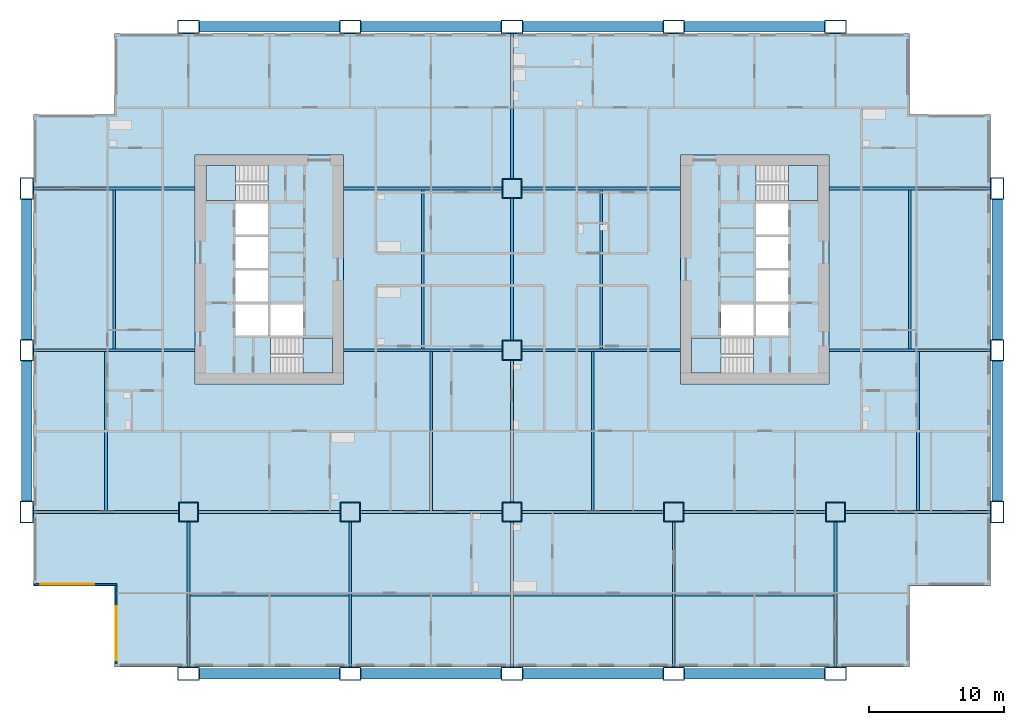
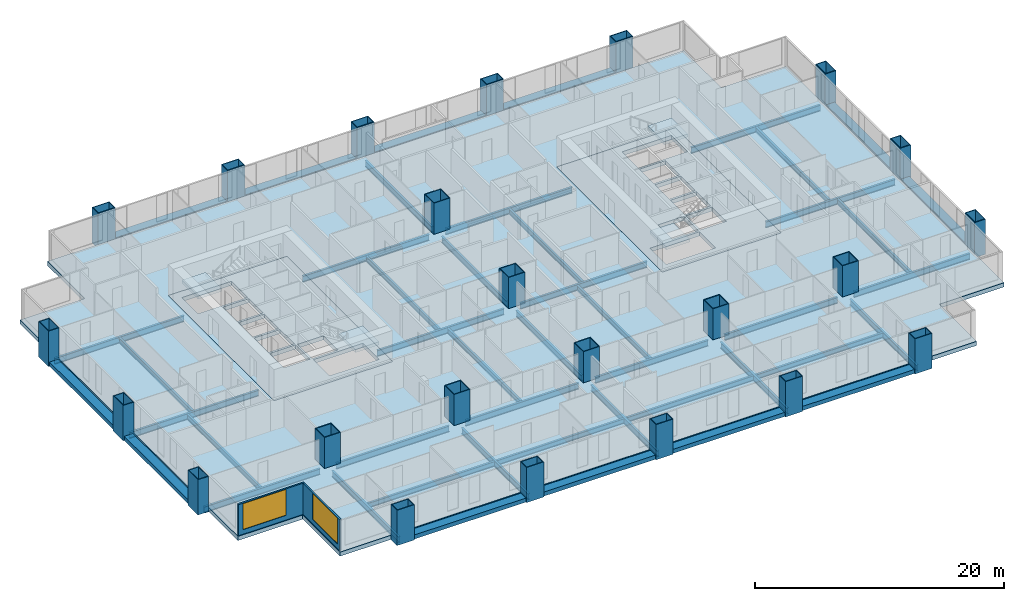
# One storey, part 1 of 14: 46 beams, 23 columns, 7 slabs, 2 walls, 2 windows, 2 openings, 4 elements without a shape of their own.
"""IFC4 building model written with IfcOpenShell, lengths in metres."""

from ifc_helpers import new_model, si_unit, direction, frame, frame_2d, origin, origin_2d, place, context, subcontext, project, spatial, polyline, rectangle, hollow_rectangle, i_section, outline, extrude, material, layer, layer_set, material_profile, profile_set, type_object, element, fill, aggregate, save


model = new_model("IFC4")

# Units and contexts
model_context = context("Model", 3, precision=1e-05, world=origin(), true_north=direction((0.0, 1.0)))
body_context = subcontext(model_context, "Body", "Model", "MODEL_VIEW")
ifc_project = project(units=[si_unit("LENGTHUNIT", "METRE"), si_unit("AREAUNIT", "SQUARE_METRE"), si_unit("VOLUMEUNIT", "CUBIC_METRE"), si_unit("PLANEANGLEUNIT", "RADIAN"), si_unit("MASSUNIT", "GRAM", prefix="KILO")], contexts=[model_context])

# Site, building, storey
site_placement = place(None, origin())
site = spatial("IfcSite", under=ifc_project, at=site_placement, CompositionType="ELEMENT")
building_placement = place(site_placement, origin())
building = spatial("IfcBuilding", under=site, at=building_placement, Name="Kitamizu Gate Tower and Museum", CompositionType="ELEMENT")
storey_placement = place(building_placement, frame((0.0, 0.0, 74.85009765625)))
storey = spatial("IfcBuildingStorey", under=building, at=storey_placement, Name="L18", CompositionType="ELEMENT", Elevation=74.85009765625)

# Columns
ifc_material_1 = material(Name="Steel SM490A bronze coated", Category="steel")
ifc_material_profile_1 = material_profile(ifc_material_1, hollow_rectangle(XDim=1.60009765625, YDim=1.0, WallThickness=0.06494140625, at=origin_2d()), Name="BOX 1600x1000x65")
ifc_profile_set_1 = profile_set([ifc_material_profile_1], Name="Steel SM490A bronze coated")
column_type_1 = type_object("IfcColumnType", Name="Exoskeleton column XC3 BOX 1600x1000x65", PredefinedType="COLUMN", material=ifc_profile_set_1)
for number, where, z_axis, x_axis, name in (
    (1, (0.0, 12.0, -0.400146484375), (0.0, 0.0, 1.0), (0.0, 1.0, 0.0), "Column XC3 1B L18"),
    (2, (0.0, 24.0, -0.400146484375), (0.0, 0.0, 1.0), (0.0, 1.0, 0.0), "Column XC3 1C L18"),
    (3, (0.0, 36.0, -0.400146484375), (0.0, 0.0, 1.0), (0.0, 1.0, 0.0), "Column XC3 1D L18"),
    (4, (12.0, 0.0, -0.400146484375), (0.0, 0.0, 1.0), (1.0, 0.0, 0.0), "Column XC3 2A L18"),
    (5, (12.0, 48.0, -0.400146484375), (0.0, 0.0, 1.0), (1.0, 0.0, 0.0), "Column XC3 2E L18"),
    (6, (24.0, 0.0, -0.400146484375), (0.0, 0.0, 1.0), (1.0, 0.0, 0.0), "Column XC3 3A L18"),
    (7, (24.0, 48.0, -0.400146484375), (0.0, 0.0, 1.0), (1.0, 0.0, 0.0), "Column XC3 3E L18"),
    (8, (36.0, 0.0, -0.400146484375), (0.0, 0.0, 1.0), (1.0, 0.0, 0.0), "Column XC3 4A L18"),
    (9, (36.0, 48.0, -0.400146484375), (0.0, 0.0, 1.0), (1.0, 0.0, 0.0), "Column XC3 4E L18"),
    (10, (48.0, 0.0, -0.400146484375), (0.0, 0.0, 1.0), (1.0, 0.0, 0.0), "Column XC3 5A L18"),
    (11, (48.0, 48.0, -0.400146484375), (0.0, 0.0, 1.0), (1.0, 0.0, 0.0), "Column XC3 5E L18"),
    (12, (60.0, 0.0, -0.400146484375), (0.0, 0.0, 1.0), (1.0, 0.0, 0.0), "Column XC3 6A L18"),
    (13, (60.0, 48.0, -0.400146484375), (0.0, 0.0, 1.0), (1.0, 0.0, 0.0), "Column XC3 6E L18"),
    (14, (72.0, 12.0, -0.400146484375), (0.0, 0.0, 1.0), (0.0, 1.0, 0.0), "Column XC3 7B L18"),
    (15, (72.0, 24.0, -0.400146484375), (0.0, 0.0, 1.0), (0.0, 1.0, 0.0), "Column XC3 7C L18"),
    (16, (72.0, 36.0, -0.400146484375), (0.0, 0.0, 1.0), (0.0, 1.0, 0.0), "Column XC3 7D L18"),
):
    element("IfcColumn", number, at=place(storey_placement, frame(where, z_axis=z_axis, x_axis=x_axis)), inside=storey, type_object=column_type_1, Name=name, PredefinedType="COLUMN", context=body_context, shape_type="SweptSolid", body=[
        extrude(hollow_rectangle(XDim=1.60009765625, YDim=1.0, WallThickness=0.06494140625, at=origin_2d()), origin(), (0.0, 0.0, 1.0), 3.449951171875),
    ])
ifc_material_2 = material(Name="Steel SM490A", Category="steel")
ifc_material_profile_2 = material_profile(ifc_material_2, hollow_rectangle(XDim=1.5, YDim=1.5, WallThickness=0.06494140625, at=origin_2d()), Name="BOX 1500x1500x65")
ifc_profile_set_2 = profile_set([ifc_material_profile_2], Name="Steel SM490A")
column_type_2 = type_object("IfcColumnType", Name="Interior column IC2 BOX 1500x1500x65", PredefinedType="COLUMN", material=ifc_profile_set_2)
for number, where, z_axis, x_axis, name in (
    (17, (12.0, 12.0, 0.0), (0.0, 0.0, 1.0), (1.0, 0.0, 0.0), "Column IC2 2B L18"),
    (18, (24.0, 12.0, 0.0), (0.0, 0.0, 1.0), (1.0, 0.0, 0.0), "Column IC2 3B L18"),
    (19, (36.0, 12.0, 0.0), (0.0, 0.0, 1.0), (1.0, 0.0, 0.0), "Column IC2 4B L18"),
    (20, (36.0, 24.0, 0.0), (0.0, 0.0, 1.0), (1.0, 0.0, 0.0), "Column IC2 4C L18"),
    (21, (36.0, 36.0, 0.0), (0.0, 0.0, 1.0), (1.0, 0.0, 0.0), "Column IC2 4D L18"),
    (22, (48.0, 12.0, 0.0), (0.0, 0.0, 1.0), (1.0, 0.0, 0.0), "Column IC2 5B L18"),
    (23, (60.0, 12.0, 0.0), (0.0, 0.0, 1.0), (1.0, 0.0, 0.0), "Column IC2 6B L18"),
):
    element("IfcColumn", number, at=place(storey_placement, frame(where, z_axis=z_axis, x_axis=x_axis)), inside=storey, type_object=column_type_2, Name=name, PredefinedType="COLUMN", context=body_context, shape_type="SweptSolid", body=[
        extrude(hollow_rectangle(XDim=1.5, YDim=1.5, WallThickness=0.06494140625, at=origin_2d()), origin(), (0.0, 0.0, 1.0), 3.0498046875),
    ])

# Beams
ifc_material_3 = material(Name="Steel SM490A bronze coated", Category="steel")
ifc_material_profile_3 = material_profile(ifc_material_3, hollow_rectangle(XDim=0.800048828125, YDim=0.39990234375, WallThickness=0.0400390625, at=origin_2d()), Name="BOX 800x400x40")
ifc_profile_set_3 = profile_set([ifc_material_profile_3], Name="Steel SM490A bronze coated")
beam_type_1 = type_object("IfcBeamType", Name="Exoskeleton spandrel beam SB1 BOX 800x400x40", PredefinedType="SPANDREL", material=ifc_profile_set_3)
for number, where, z_axis, x_axis, name in (
    (24, (12.800048828125, 0.0, -0.2001953125), (1.0, 0.0, 0.0), (0.0, 1.0, 0.0), "Exoskeleton spandrel beam south 12 L18"),
    (25, (24.800048828125, 0.0, -0.2001953125), (1.0, 0.0, 0.0), (0.0, 1.0, 0.0), "Exoskeleton spandrel beam south 24 L18"),
    (26, (36.800048828125, 0.0, -0.2001953125), (1.0, 0.0, 0.0), (0.0, 1.0, 0.0), "Exoskeleton spandrel beam south 36 L18"),
    (27, (48.800048828125, 0.0, -0.2001953125), (1.0, 0.0, 0.0), (0.0, 1.0, 0.0), "Exoskeleton spandrel beam south 48 L18"),
    (28, (12.800048828125, 48.0, -0.2001953125), (1.0, 0.0, 0.0), (0.0, 1.0, 0.0), "Exoskeleton spandrel beam north 12 L18"),
    (29, (24.800048828125, 48.0, -0.2001953125), (1.0, 0.0, 0.0), (0.0, 1.0, 0.0), "Exoskeleton spandrel beam north 24 L18"),
    (30, (36.800048828125, 48.0, -0.2001953125), (1.0, 0.0, 0.0), (0.0, 1.0, 0.0), "Exoskeleton spandrel beam north 36 L18"),
    (31, (48.800048828125, 48.0, -0.2001953125), (1.0, 0.0, 0.0), (0.0, 1.0, 0.0), "Exoskeleton spandrel beam north 48 L18"),
    (32, (0.0, 12.800048828125, -0.2001953125), (0.0, 1.0, 0.0), (-1.0, 0.0, 0.0), "Exoskeleton spandrel beam west 12 L18"),
    (33, (0.0, 24.800048828125, -0.2001953125), (0.0, 1.0, 0.0), (-1.0, 0.0, 0.0), "Exoskeleton spandrel beam west 24 L18"),
    (34, (72.0, 12.800048828125, -0.2001953125), (0.0, 1.0, 0.0), (-1.0, 0.0, 0.0), "Exoskeleton spandrel beam east 12 L18"),
    (35, (72.0, 24.800048828125, -0.2001953125), (0.0, 1.0, 0.0), (-1.0, 0.0, 0.0), "Exoskeleton spandrel beam east 24 L18"),
):
    element("IfcBeam", number, at=place(storey_placement, frame(where, z_axis=z_axis, x_axis=x_axis)), inside=storey, type_object=beam_type_1, Name=name, PredefinedType="SPANDREL", context=body_context, shape_type="SweptSolid", body=[
        extrude(hollow_rectangle(XDim=0.800048828125, YDim=0.39990234375, WallThickness=0.0400390625, at=origin_2d()), origin(), (0.0, 0.0, 1.0), 10.39990234375),
    ])
ifc_material_4 = material(Name="Steel SM490A", Category="steel")
ifc_material_profile_4 = material_profile(ifc_material_4, i_section(OverallWidth=0.199951171875, OverallDepth=0.5, WebThickness=0.010009765625, FlangeThickness=0.01611328125, FilletRadius=0.02001953125, at=origin_2d()), Name="H-500x200x10x16")
ifc_profile_set_4 = profile_set([ifc_material_profile_4], Name="Steel SM490A")
beam_type_2 = type_object("IfcBeamType", Name="Floor beam FB1 H 500x200x10x16", PredefinedType="BEAM", material=ifc_profile_set_4)
for number, where, z_axis, x_axis, name in (
    (36, (12.10009765625, 5.875, -0.650146484375), (1.0, 0.0, 0.0), (0.0, 1.0, 0.0), "Floor beam FB1 L18-1"),
    (37, (24.10009765625, 5.875, -0.650146484375), (1.0, 0.0, 0.0), (0.0, 1.0, 0.0), "Floor beam FB1 L18-2"),
    (38, (36.10009765625, 5.875, -0.650146484375), (1.0, 0.0, 0.0), (0.0, 1.0, 0.0), "Floor beam FB1 L18-3"),
    (39, (48.10009765625, 5.875, -0.650146484375), (1.0, 0.0, 0.0), (0.0, 1.0, 0.0), "Floor beam FB1 L18-4"),
    (40, (5.875, 12.10009765625, -0.650146484375), (0.0, 1.0, 0.0), (-1.0, 0.0, 0.0), "Floor beam FB1 L18-5"),
    (41, (30.0, 12.10009765625, -0.650146484375), (0.0, 1.0, 0.0), (-1.0, 0.0, 0.0), "Floor beam FB1 L18-6"),
    (42, (42.0, 12.10009765625, -0.650146484375), (0.0, 1.0, 0.0), (-1.0, 0.0, 0.0), "Floor beam FB1 L18-7"),
    (43, (66.125, 12.10009765625, -0.650146484375), (0.0, 1.0, 0.0), (-1.0, 0.0, 0.0), "Floor beam FB1 L18-8"),
    (44, (6.5, 24.10009765625, -0.650146484375), (0.0, 1.0, 0.0), (-1.0, 0.0, 0.0), "Floor beam FB1 L18-9"),
    (45, (29.375, 24.10009765625, -0.650146484375), (0.0, 1.0, 0.0), (-1.0, 0.0, 0.0), "Floor beam FB1 L18-10"),
    (46, (42.625, 24.10009765625, -0.650146484375), (0.0, 1.0, 0.0), (-1.0, 0.0, 0.0), "Floor beam FB1 L18-11"),
    (47, (65.5, 24.10009765625, -0.650146484375), (0.0, 1.0, 0.0), (-1.0, 0.0, 0.0), "Floor beam FB1 L18-12"),
):
    element("IfcBeam", number, at=place(storey_placement, frame(where, z_axis=z_axis, x_axis=x_axis)), inside=storey, type_object=beam_type_2, Name=name, PredefinedType="BEAM", context=body_context, shape_type="SweptSolid", body=[
        extrude(i_section(OverallWidth=0.199951171875, OverallDepth=0.5, WebThickness=0.010009765625, FlangeThickness=0.01611328125, FilletRadius=0.02001953125, at=origin_2d()), origin(), (0.0, 0.0, 1.0), 11.7998046875),
    ])
ifc_material_5 = material(Name="Steel SM490A", Category="steel")
ifc_material_profile_5 = material_profile(ifc_material_5, i_section(OverallWidth=0.199951171875, OverallDepth=0.60009765625, WebThickness=0.010986328125, FlangeThickness=0.01708984375, FilletRadius=0.02197265625, at=origin_2d()), Name="H-600x200x11x17")
ifc_profile_set_5 = profile_set([ifc_material_profile_5], Name="Steel SM490A")
beam_type_3 = type_object("IfcBeamType", Name="Floor girder FG1 H 600x200x11x17", PredefinedType="BEAM", material=ifc_profile_set_5)
for number, where, z_axis, x_axis, name in (
    (48, (12.0, 0.5, -0.7001953125), (0.0, 1.0, 0.0), (-1.0, 0.0, 0.0), "Floor girder FG1 x12 L18"),
    (49, (24.0, 0.5, -0.7001953125), (0.0, 1.0, 0.0), (-1.0, 0.0, 0.0), "Floor girder FG1 x24 L18"),
    (50, (36.0, 0.5, -0.7001953125), (0.0, 1.0, 0.0), (-1.0, 0.0, 0.0), "Floor girder FG1 x36 L18"),
):
    element("IfcBeam", number, at=place(storey_placement, frame(where, z_axis=z_axis, x_axis=x_axis)), inside=storey, type_object=beam_type_3, Name=name, PredefinedType="BEAM", context=body_context, shape_type="SweptSolid", body=[
        extrude(i_section(OverallWidth=0.199951171875, OverallDepth=0.60009765625, WebThickness=0.010986328125, FlangeThickness=0.01708984375, FilletRadius=0.02197265625, at=origin_2d()), origin(), (0.0, 0.0, 1.0), 10.75),
    ])
for number, where, z_axis, x_axis, name in (
    (51, (36.0, 12.75, -0.7001953125), (0.0, 1.0, 0.0), (-1.0, 0.0, 0.0), "Floor girder FG1 x36 L18"),
    (52, (36.0, 24.75, -0.7001953125), (0.0, 1.0, 0.0), (-1.0, 0.0, 0.0), "Floor girder FG1 x36 L18"),
):
    element("IfcBeam", number, at=place(storey_placement, frame(where, z_axis=z_axis, x_axis=x_axis)), inside=storey, type_object=beam_type_3, Name=name, PredefinedType="BEAM", context=body_context, shape_type="SweptSolid", body=[
        extrude(i_section(OverallWidth=0.199951171875, OverallDepth=0.60009765625, WebThickness=0.010986328125, FlangeThickness=0.01708984375, FilletRadius=0.02197265625, at=origin_2d()), origin(), (0.0, 0.0, 1.0), 10.5),
    ])
for number, where, z_axis, x_axis, name in (
    (53, (36.0, 36.75, -0.7001953125), (0.0, 1.0, 0.0), (-1.0, 0.0, 0.0), "Floor girder FG1 x36 L18"),
    (54, (48.0, 0.5, -0.7001953125), (0.0, 1.0, 0.0), (-1.0, 0.0, 0.0), "Floor girder FG1 x48 L18"),
    (55, (60.0, 0.5, -0.7001953125), (0.0, 1.0, 0.0), (-1.0, 0.0, 0.0), "Floor girder FG1 x60 L18"),
    (56, (0.5, 12.0, -0.7001953125), (1.0, 0.0, 0.0), (0.0, 1.0, 0.0), "Floor girder FG1 y12 L18"),
):
    element("IfcBeam", number, at=place(storey_placement, frame(where, z_axis=z_axis, x_axis=x_axis)), inside=storey, type_object=beam_type_3, Name=name, PredefinedType="BEAM", context=body_context, shape_type="SweptSolid", body=[
        extrude(i_section(OverallWidth=0.199951171875, OverallDepth=0.60009765625, WebThickness=0.010986328125, FlangeThickness=0.01708984375, FilletRadius=0.02197265625, at=origin_2d()), origin(), (0.0, 0.0, 1.0), 10.75),
    ])
for number, where, z_axis, x_axis, name in (
    (57, (12.75, 12.0, -0.7001953125), (1.0, 0.0, 0.0), (0.0, 1.0, 0.0), "Floor girder FG1 y12 L18"),
    (58, (24.75, 12.0, -0.7001953125), (1.0, 0.0, 0.0), (0.0, 1.0, 0.0), "Floor girder FG1 y12 L18"),
    (59, (36.75, 12.0, -0.7001953125), (1.0, 0.0, 0.0), (0.0, 1.0, 0.0), "Floor girder FG1 y12 L18"),
    (60, (48.75, 12.0, -0.7001953125), (1.0, 0.0, 0.0), (0.0, 1.0, 0.0), "Floor girder FG1 y12 L18"),
):
    element("IfcBeam", number, at=place(storey_placement, frame(where, z_axis=z_axis, x_axis=x_axis)), inside=storey, type_object=beam_type_3, Name=name, PredefinedType="BEAM", context=body_context, shape_type="SweptSolid", body=[
        extrude(i_section(OverallWidth=0.199951171875, OverallDepth=0.60009765625, WebThickness=0.010986328125, FlangeThickness=0.01708984375, FilletRadius=0.02197265625, at=origin_2d()), origin(), (0.0, 0.0, 1.0), 10.5),
    ])
beam_1_placement = place(storey_placement, frame((60.75, 12.0, -0.7001953125), z_axis=(1.0, 0.0, 0.0), x_axis=(0.0, 1.0, 0.0)))
element("IfcBeam", 61, at=beam_1_placement, inside=storey, type_object=beam_type_3, Name="Floor girder FG1 y12 L18", PredefinedType="BEAM", context=body_context, shape_type="SweptSolid", body=[
    extrude(i_section(OverallWidth=0.199951171875, OverallDepth=0.60009765625, WebThickness=0.010986328125, FlangeThickness=0.01708984375, FilletRadius=0.02197265625, at=origin_2d()), origin(), (0.0, 0.0, 1.0), 10.75),
])
beam_2_placement = place(storey_placement, frame((0.5, 24.0, -0.7001953125), z_axis=(1.0, 0.0, 0.0), x_axis=(0.0, 1.0, 0.0)))
element("IfcBeam", 62, at=beam_2_placement, inside=storey, type_object=beam_type_3, Name="Floor girder FG1 y24 L18", PredefinedType="BEAM", context=body_context, shape_type="SweptSolid", body=[
    extrude(i_section(OverallWidth=0.199951171875, OverallDepth=0.60009765625, WebThickness=0.010986328125, FlangeThickness=0.01708984375, FilletRadius=0.02197265625, at=origin_2d()), origin(), (0.0, 0.0, 1.0), 12.0),
])
for number, where, z_axis, x_axis, name in (
    (63, (23.5, 24.0, -0.7001953125), (1.0, 0.0, 0.0), (0.0, 1.0, 0.0), "Floor girder FG1 y24 L18"),
    (64, (36.75, 24.0, -0.7001953125), (1.0, 0.0, 0.0), (0.0, 1.0, 0.0), "Floor girder FG1 y24 L18"),
):
    element("IfcBeam", number, at=place(storey_placement, frame(where, z_axis=z_axis, x_axis=x_axis)), inside=storey, type_object=beam_type_3, Name=name, PredefinedType="BEAM", context=body_context, shape_type="SweptSolid", body=[
        extrude(i_section(OverallWidth=0.199951171875, OverallDepth=0.60009765625, WebThickness=0.010986328125, FlangeThickness=0.01708984375, FilletRadius=0.02197265625, at=origin_2d()), origin(), (0.0, 0.0, 1.0), 11.75),
    ])
for number, where, z_axis, x_axis, name in (
    (65, (59.5, 24.0, -0.7001953125), (1.0, 0.0, 0.0), (0.0, 1.0, 0.0), "Floor girder FG1 y24 L18"),
    (66, (0.5, 36.0, -0.7001953125), (1.0, 0.0, 0.0), (0.0, 1.0, 0.0), "Floor girder FG1 y36 L18"),
):
    element("IfcBeam", number, at=place(storey_placement, frame(where, z_axis=z_axis, x_axis=x_axis)), inside=storey, type_object=beam_type_3, Name=name, PredefinedType="BEAM", context=body_context, shape_type="SweptSolid", body=[
        extrude(i_section(OverallWidth=0.199951171875, OverallDepth=0.60009765625, WebThickness=0.010986328125, FlangeThickness=0.01708984375, FilletRadius=0.02197265625, at=origin_2d()), origin(), (0.0, 0.0, 1.0), 12.0),
    ])
for number, where, z_axis, x_axis, name in (
    (67, (23.5, 36.0, -0.7001953125), (1.0, 0.0, 0.0), (0.0, 1.0, 0.0), "Floor girder FG1 y36 L18"),
    (68, (36.75, 36.0, -0.7001953125), (1.0, 0.0, 0.0), (0.0, 1.0, 0.0), "Floor girder FG1 y36 L18"),
):
    element("IfcBeam", number, at=place(storey_placement, frame(where, z_axis=z_axis, x_axis=x_axis)), inside=storey, type_object=beam_type_3, Name=name, PredefinedType="BEAM", context=body_context, shape_type="SweptSolid", body=[
        extrude(i_section(OverallWidth=0.199951171875, OverallDepth=0.60009765625, WebThickness=0.010986328125, FlangeThickness=0.01708984375, FilletRadius=0.02197265625, at=origin_2d()), origin(), (0.0, 0.0, 1.0), 11.75),
    ])
beam_3_placement = place(storey_placement, frame((59.5, 36.0, -0.7001953125), z_axis=(1.0, 0.0, 0.0), x_axis=(0.0, 1.0, 0.0)))
element("IfcBeam", 69, at=beam_3_placement, inside=storey, type_object=beam_type_3, Name="Floor girder FG1 y36 L18", PredefinedType="BEAM", context=body_context, shape_type="SweptSolid", body=[
    extrude(i_section(OverallWidth=0.199951171875, OverallDepth=0.60009765625, WebThickness=0.010986328125, FlangeThickness=0.01708984375, FilletRadius=0.02197265625, at=origin_2d()), origin(), (0.0, 0.0, 1.0), 12.0),
])

# Slabs
ifc_material_6 = material(Name="Concrete Fc36", Category="concrete")
ifc_layer_1 = layer(ifc_material_6, 0.39990234375)
ifc_layer_set_1 = layer_set([ifc_layer_1], Name="Concrete Fc36")
slab_type_1 = type_object("IfcSlabType", Name="Core floor slab 400", PredefinedType="FLOOR", material=ifc_layer_set_1)
slab_1_placement = place(storey_placement, frame((0.0, 0.0, -0.400146484375)))
element("IfcSlab", 70, at=slab_1_placement, inside=storey, type_object=slab_type_1, Name="Core floor slab W", PredefinedType="FLOOR", context=body_context, shape_type="SweptSolid", body=[
    extrude(outline(polyline([(12.5, 21.5), (23.5, 21.5), (23.5, 38.5), (12.5, 38.5), (12.5, 21.5)]), holes=[polyline([(15.5, 25.10009765625), (17.89990234375, 25.10009765625), (17.89990234375, 27.39990234375), (15.5, 27.39990234375), (15.5, 25.10009765625)]), polyline([(15.5, 27.60009765625), (17.89990234375, 27.60009765625), (17.89990234375, 29.89990234375), (15.5, 29.89990234375), (15.5, 27.60009765625)]), polyline([(15.5, 30.10009765625), (17.89990234375, 30.10009765625), (17.89990234375, 32.39990234375), (15.5, 32.39990234375), (15.5, 30.10009765625)]), polyline([(15.5, 32.60009765625), (17.89990234375, 32.60009765625), (17.89990234375, 34.89990234375), (15.5, 34.89990234375), (15.5, 32.60009765625)]), polyline([(18.10009765625, 25.10009765625), (20.5, 25.10009765625), (20.5, 27.39990234375), (18.10009765625, 27.39990234375), (18.10009765625, 25.10009765625)]), polyline([(18.1005859375, 22.300048828125), (22.699951171875, 22.300048828125), (22.699951171875, 24.89990234375), (18.1005859375, 24.89990234375), (18.1005859375, 22.300048828125)]), polyline([(13.300048828125, 35.10009765625), (17.8994140625, 35.10009765625), (17.8994140625, 37.699951171875), (13.300048828125, 37.699951171875), (13.300048828125, 35.10009765625)])]), origin(), (0.0, 0.0, 1.0), 0.400146484375),
])
slab_2_placement = place(storey_placement, frame((0.0, 0.0, -0.400146484375)))
element("IfcSlab", 71, at=slab_2_placement, inside=storey, type_object=slab_type_1, Name="Core floor slab E", PredefinedType="FLOOR", context=body_context, shape_type="SweptSolid", body=[
    extrude(outline(polyline([(48.5, 21.5), (59.5, 21.5), (59.5, 38.5), (48.5, 38.5), (48.5, 21.5)]), holes=[polyline([(54.10009765625, 25.10009765625), (56.5, 25.10009765625), (56.5, 27.39990234375), (54.10009765625, 27.39990234375), (54.10009765625, 25.10009765625)]), polyline([(54.10009765625, 27.60009765625), (56.5, 27.60009765625), (56.5, 29.89990234375), (54.10009765625, 29.89990234375), (54.10009765625, 27.60009765625)]), polyline([(54.10009765625, 30.10009765625), (56.5, 30.10009765625), (56.5, 32.39990234375), (54.10009765625, 32.39990234375), (54.10009765625, 30.10009765625)]), polyline([(54.10009765625, 32.60009765625), (56.5, 32.60009765625), (56.5, 34.89990234375), (54.10009765625, 34.89990234375), (54.10009765625, 32.60009765625)]), polyline([(51.5, 25.10009765625), (53.89990234375, 25.10009765625), (53.89990234375, 27.39990234375), (51.5, 27.39990234375), (51.5, 25.10009765625)]), polyline([(49.300048828125, 22.300048828125), (53.8994140625, 22.300048828125), (53.8994140625, 24.89990234375), (49.300048828125, 24.89990234375), (49.300048828125, 22.300048828125)]), polyline([(54.1005859375, 35.10009765625), (58.699951171875, 35.10009765625), (58.699951171875, 37.699951171875), (54.1005859375, 37.699951171875), (54.1005859375, 35.10009765625)])]), origin(), (0.0, 0.0, 1.0), 0.400146484375),
])
ifc_material_7 = material(Name="Concrete Fc36", Category="concrete")
ifc_layer_2 = layer(ifc_material_7, 0.39990234375)
ifc_layer_set_2 = layer_set([ifc_layer_2], Name="Concrete Fc36")
slab_type_2 = type_object("IfcSlabType", Name="Post tensioned flat slab 400", PredefinedType="FLOOR", material=ifc_layer_set_2)
slab_3_placement = place(storey_placement, frame((0.0, 0.0, -0.400146484375)))
element("IfcSlab", 72, at=slab_3_placement, inside=storey, type_object=slab_type_2, Name="Floor slab L18-1", PredefinedType="FLOOR", context=body_context, shape_type="SweptSolid", body=[
    extrude(outline(polyline([(0.5, 6.5), (0.5, 41.5), (6.5, 41.5), (6.5, 47.5), (65.5, 47.5), (65.5, 41.5), (71.5, 41.5), (71.5, 6.5), (65.5, 6.5), (65.5, 0.5), (6.5, 0.5), (6.5, 6.5), (0.5, 6.5)]), holes=[polyline([(59.5, 38.5), (48.5, 38.5), (48.5, 21.5), (59.5, 21.5), (59.5, 38.5)]), polyline([(12.5, 38.5), (12.5, 21.5), (23.5, 21.5), (23.5, 38.5), (12.5, 38.5)])]), origin(), (0.0, 0.0, 1.0), 0.400146484375),
])

# Stair, slab
ifc_material_8 = material(Name="Concrete Fc42", Category="concrete")
stair_type = type_object("IfcStairType", Name="Exit stair 1200 wide 192 rise 300 going", PredefinedType="HALF_TURN_STAIR", material=ifc_material_8)
stair_1_placement = place(storey_placement, origin())
stair_1 = element("IfcStair", 73, at=stair_1_placement, inside=storey, type_object=stair_type, Name="Exit stair ST1", PredefinedType="HALF_TURN_STAIR")
ifc_material_9 = material(Name="Concrete Fc42", Category="concrete")
ifc_layer_3 = layer(ifc_material_9, 0.300048828125)
ifc_layer_set_3 = layer_set([ifc_layer_3], Name="Concrete Fc42")
slab_type_3 = type_object("IfcSlabType", Name="Stair landing 300", PredefinedType="LANDING", material=ifc_layer_set_3)
slab_4_placement = place(storey_placement, frame((0.0, 0.0, 1.4248046875)))
slab_4 = element("IfcSlab", 74, at=slab_4_placement, type_object=slab_type_3, Name="ST1 landing 1", PredefinedType="LANDING", context=body_context, shape_type="SweptSolid", body=[
    extrude(outline(polyline([(20.5, 22.300048828125), (22.699951171875, 22.300048828125), (22.699951171875, 24.89990234375), (20.5, 24.89990234375), (20.5, 22.300048828125)])), origin(), (0.0, 0.0, 1.0), 0.300048828125),
])
aggregate(stair_1, [slab_4])

stair_2_placement = place(storey_placement, origin())
stair_2 = element("IfcStair", 75, at=stair_2_placement, inside=storey, type_object=stair_type, Name="Exit stair ST2", PredefinedType="HALF_TURN_STAIR")
slab_5_placement = place(storey_placement, frame((0.0, 0.0, 1.4248046875)))
slab_5 = element("IfcSlab", 76, at=slab_5_placement, type_object=slab_type_3, Name="ST2 landing 1", PredefinedType="LANDING", context=body_context, shape_type="SweptSolid", body=[
    extrude(outline(polyline([(13.300048828125, 35.10009765625), (15.5, 35.10009765625), (15.5, 37.699951171875), (13.300048828125, 37.699951171875), (13.300048828125, 35.10009765625)])), origin(), (0.0, 0.0, 1.0), 0.300048828125),
])
aggregate(stair_2, [slab_5])

stair_3_placement = place(storey_placement, origin())
stair_3 = element("IfcStair", 77, at=stair_3_placement, inside=storey, type_object=stair_type, Name="Exit stair ST3", PredefinedType="HALF_TURN_STAIR")
slab_6_placement = place(storey_placement, frame((0.0, 0.0, 1.4248046875)))
slab_6 = element("IfcSlab", 78, at=slab_6_placement, type_object=slab_type_3, Name="ST3 landing 1", PredefinedType="LANDING", context=body_context, shape_type="SweptSolid", body=[
    extrude(outline(polyline([(49.300048828125, 22.300048828125), (51.5, 22.300048828125), (51.5, 24.89990234375), (49.300048828125, 24.89990234375), (49.300048828125, 22.300048828125)])), origin(), (0.0, 0.0, 1.0), 0.300048828125),
])
aggregate(stair_3, [slab_6])

stair_4_placement = place(storey_placement, origin())
stair_4 = element("IfcStair", 79, at=stair_4_placement, inside=storey, type_object=stair_type, Name="Exit stair ST4", PredefinedType="HALF_TURN_STAIR")
slab_7_placement = place(storey_placement, frame((0.0, 0.0, 1.4248046875)))
slab_7 = element("IfcSlab", 80, at=slab_7_placement, type_object=slab_type_3, Name="ST4 landing 1", PredefinedType="LANDING", context=body_context, shape_type="SweptSolid", body=[
    extrude(outline(polyline([(56.5, 35.10009765625), (58.699951171875, 35.10009765625), (58.699951171875, 37.699951171875), (56.5, 37.699951171875), (56.5, 35.10009765625)])), origin(), (0.0, 0.0, 1.0), 0.300048828125),
])
aggregate(stair_4, [slab_7])

# Wall, opening, window
ifc_material_10 = material(Name="Bronze anodised aluminium frame with insulated spandrel and tinted glass", Category="aluminium")
ifc_layer_4 = layer(ifc_material_10, 0.14990234375)
ifc_layer_set_4 = layer_set([ifc_layer_4], Name="Bronze anodised aluminium frame with insulated spandrel and tinted glass")
wall_type = type_object("IfcWallType", Name="WINDOW WALL 150 BRONZE FRAME EI 30", PredefinedType="ELEMENTEDWALL", material=ifc_layer_set_4)
wall_1_placement = place(storey_placement, frame((0.56005859375, 6.635009765625, 0.0), z_axis=(0.0, 0.0, 1.0), x_axis=(1.0, 0.0, 0.0)))
wall_1 = element("IfcWall", 81, at=wall_1_placement, inside=storey, type_object=wall_type, Name="Window wall south L18", PredefinedType="ELEMENTEDWALL", context=body_context, shape_type="SweptSolid", body=[
    extrude(rectangle(XDim=6.14990234375, YDim=0.14990234375, at=frame_2d((3.074951171875, 0.0))), origin(), (0.0, 0.0, 1.0), 3.0498046875),
])
opening_1_placement = place(wall_1_placement, frame((0.43994140625, 0.0, 0.449951171875)))
opening_1 = element("IfcOpeningElement", 82, at=opening_1_placement, cuts=wall_1, Name="Opening W16", PredefinedType="OPENING", context=body_context, shape_type="SweptSolid", body=[
    extrude(rectangle(XDim=4.0, YDim=2.550048828125, at=frame_2d((2.0, 1.27490234375))), frame((0.0, 0.0849609375, 0.0), z_axis=(0.0, -1.0, 0.0), x_axis=(1.0, 0.0, 0.0)), (0.0, 0.0, 1.0), 0.169921875),
])
ifc_material_11 = material(Name="Bronze anodised aluminium frame, tinted triple glazing", Category="aluminium")
window_type = type_object("IfcWindowType", Name="WINDOW 4000 x 2550 SILL 450", PartitioningType="SINGLE_PANEL", PredefinedType="WINDOW", material=ifc_material_11)
window_1_placement = place(opening_1_placement, origin())
window_1 = element("IfcWindow", 83, at=window_1_placement, inside=storey, type_object=window_type, Name="Window W16 L18", OverallHeight=2.550048828125, OverallWidth=4.0, PartitioningType="SINGLE_PANEL", PredefinedType="WINDOW", context=body_context, shape_type="SweptSolid", body=[
    extrude(rectangle(XDim=4.0, YDim=2.550048828125, at=frame_2d((2.0, 1.27490234375))), frame((0.0, 0.030029296875, 0.0), z_axis=(0.0, -1.0, 0.0), x_axis=(1.0, 0.0, 0.0)), (0.0, 0.0, 1.0), 0.06005859375),
])
fill(opening_1, window_1)

wall_2_placement = place(storey_placement, frame((6.635009765625, 0.7099609375, 0.0), z_axis=(0.0, 0.0, 1.0), x_axis=(0.0, 1.0, 0.0)))
wall_2 = element("IfcWall", 84, at=wall_2_placement, inside=storey, type_object=wall_type, Name="Window wall west L18", PredefinedType="ELEMENTEDWALL", context=body_context, shape_type="SweptSolid", body=[
    extrude(rectangle(XDim=5.85009765625, YDim=0.14990234375, at=frame_2d((2.925048828125, 0.0))), origin(), (0.0, 0.0, 1.0), 3.0498046875),
])
opening_2_placement = place(wall_2_placement, frame((0.2900390625, 0.0, 0.449951171875)))
opening_2 = element("IfcOpeningElement", 85, at=opening_2_placement, cuts=wall_2, Name="Opening W16", PredefinedType="OPENING", context=body_context, shape_type="SweptSolid", body=[
    extrude(rectangle(XDim=4.0, YDim=2.550048828125, at=frame_2d((2.0, 1.27490234375))), frame((0.0, 0.0849609375, 0.0), z_axis=(0.0, -1.0, 0.0), x_axis=(1.0, 0.0, 0.0)), (0.0, 0.0, 1.0), 0.169921875),
])
window_2_placement = place(opening_2_placement, origin())
window_2 = element("IfcWindow", 86, at=window_2_placement, inside=storey, type_object=window_type, Name="Window W16 L18", OverallHeight=2.550048828125, OverallWidth=4.0, PartitioningType="SINGLE_PANEL", PredefinedType="WINDOW", context=body_context, shape_type="SweptSolid", body=[
    extrude(rectangle(XDim=4.0, YDim=2.550048828125, at=frame_2d((2.0, 1.27490234375))), frame((0.0, 0.030029296875, 0.0), z_axis=(0.0, -1.0, 0.0), x_axis=(1.0, 0.0, 0.0)), (0.0, 0.0, 1.0), 0.06005859375),
])
fill(opening_2, window_2)

save(model, "model.ifc")
